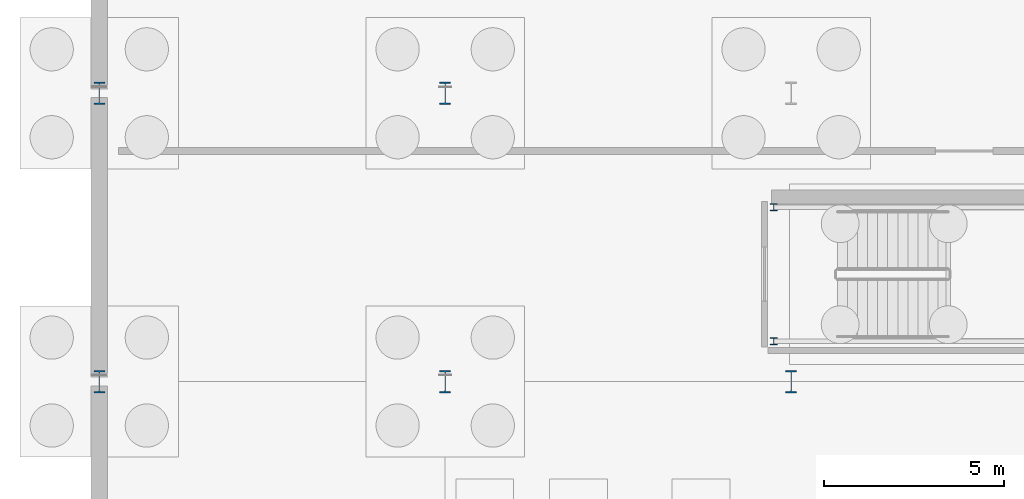
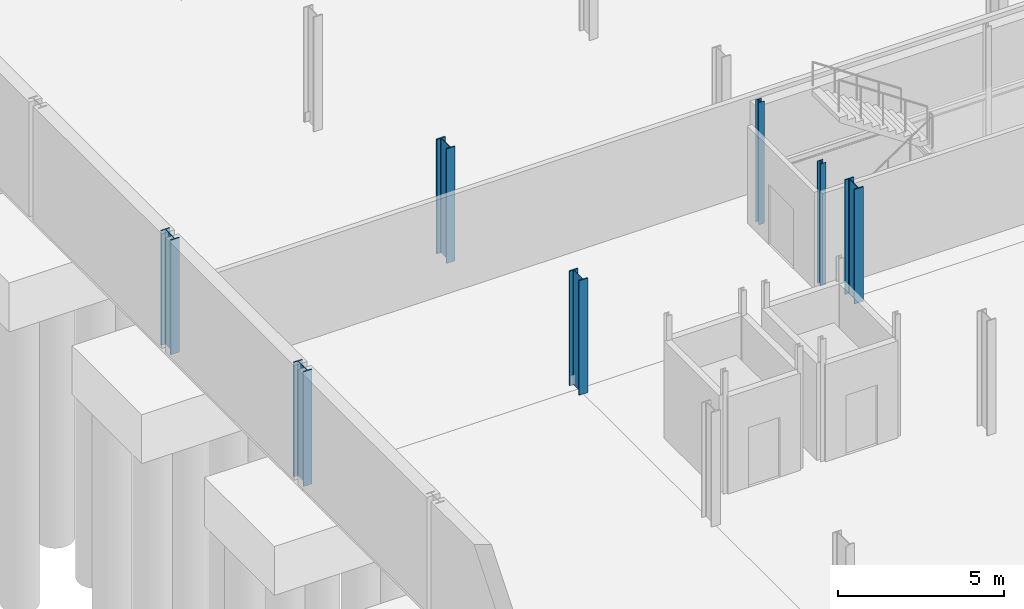
# One storey, part 18 of 47: 7 columns.
"""IFC4 building model written with IfcOpenShell, lengths in metres."""

from ifc_helpers import new_model, si_unit, direction, frame, origin, origin_2d, place, context, subcontext, project, spatial, i_section, extrude, material, material_profile, profile_set, type_object, element, save


model = new_model("IFC4")

# Units and contexts
model_context = context("Model", 3, precision=1e-05, world=origin(), true_north=direction((0.0, 1.0)))
body_context = subcontext(model_context, "Body", "Model", "MODEL_VIEW")
ifc_project = project(units=[si_unit("LENGTHUNIT", "METRE"), si_unit("AREAUNIT", "SQUARE_METRE"), si_unit("VOLUMEUNIT", "CUBIC_METRE"), si_unit("PLANEANGLEUNIT", "RADIAN"), si_unit("MASSUNIT", "GRAM", prefix="KILO")], contexts=[model_context])

# Site, building, storey
site_placement = place(None, origin())
site = spatial("IfcSite", under=ifc_project, at=site_placement, CompositionType="ELEMENT")
building_placement = place(site_placement, origin())
building = spatial("IfcBuilding", under=site, at=building_placement, Name="Alderhovde Museum", CompositionType="ELEMENT")
storey_placement = place(building_placement, frame((0.0, 0.0, -4.5)))
storey = spatial("IfcBuildingStorey", under=building, at=storey_placement, Name="B1", CompositionType="ELEMENT", Elevation=-4.5)

# Columns
ifc_material_1 = material(Name="Steel S355J2", Category="steel")
ifc_material_profile_1 = material_profile(ifc_material_1, i_section(OverallWidth=0.199951171875, OverallDepth=0.18994140625, WebThickness=0.006591796875, FlangeThickness=0.010009765625, FilletRadius=0.01806640625, at=origin_2d()), Name="HEA 200")
ifc_profile_set_1 = profile_set([ifc_material_profile_1], Name="Steel S355J2")
column_type_1 = type_object("IfcColumnType", Name="COL-HEA200", PredefinedType="COLUMN", material=ifc_profile_set_1)
for number, where, z_axis, x_axis, name in (
    (1, (28.320068359375, 81.1201171875, 0.0), (0.0, 0.0, 1.0), (1.0, 0.0, 0.0), "B1 Stair ST2 Shaft Column 1"),
    (2, (28.320068359375, 84.840087890625, 0.0), (0.0, 0.0, 1.0), (1.0, 0.0, 0.0), "B1 Stair ST2 Shaft Column 4"),
):
    element("IfcColumn", number, at=place(storey_placement, frame(where, z_axis=z_axis, x_axis=x_axis)), inside=storey, type_object=column_type_1, Name=name, PredefinedType="COLUMN", context=body_context, shape_type="SweptSolid", body=[
        extrude(i_section(OverallWidth=0.199951171875, OverallDepth=0.18994140625, WebThickness=0.006591796875, FlangeThickness=0.010009765625, FilletRadius=0.01806640625, at=origin_2d()), origin(), (0.0, 0.0, 1.0), 4.5),
    ])
ifc_material_2 = material(Name="Steel S355J2", Category="steel")
ifc_material_profile_2 = material_profile(ifc_material_2, i_section(OverallWidth=0.304931640625, OverallDepth=0.6201171875, WebThickness=0.02099609375, FlangeThickness=0.0400390625, FilletRadius=0.027099609375, at=origin_2d()), Name="HEM 600")
ifc_profile_set_2 = profile_set([ifc_material_profile_2], Name="Steel S355J2")
column_type_2 = type_object("IfcColumnType", Name="COL-HEM600", PredefinedType="COLUMN", material=ifc_profile_set_2)
for number, where, z_axis, x_axis, name in (
    (3, (9.60009765625, 80.0, 0.0), (0.0, 0.0, 1.0), (1.0, 0.0, 0.0), "B1 Column (9.6, 80.0)"),
    (4, (9.60009765625, 88.0, 0.0), (0.0, 0.0, 1.0), (1.0, 0.0, 0.0), "B1 Column (9.6, 88.0)"),
    (5, (19.199951171875, 80.0, 0.0), (0.0, 0.0, 1.0), (1.0, 0.0, 0.0), "B1 Column (19.2, 80.0)"),
    (6, (19.199951171875, 88.0, 0.0), (0.0, 0.0, 1.0), (1.0, 0.0, 0.0), "B1 Column (19.2, 88.0)"),
    (7, (28.800048828125, 80.0, 0.0), (0.0, 0.0, 1.0), (1.0, 0.0, 0.0), "B1 Column (28.8, 80.0)"),
):
    element("IfcColumn", number, at=place(storey_placement, frame(where, z_axis=z_axis, x_axis=x_axis)), inside=storey, type_object=column_type_2, Name=name, PredefinedType="COLUMN", context=body_context, shape_type="SweptSolid", body=[
        extrude(i_section(OverallWidth=0.304931640625, OverallDepth=0.6201171875, WebThickness=0.02099609375, FlangeThickness=0.0400390625, FilletRadius=0.027099609375, at=origin_2d()), origin(), (0.0, 0.0, 1.0), 4.219970703125),
    ])

save(model, "model.ifc")
